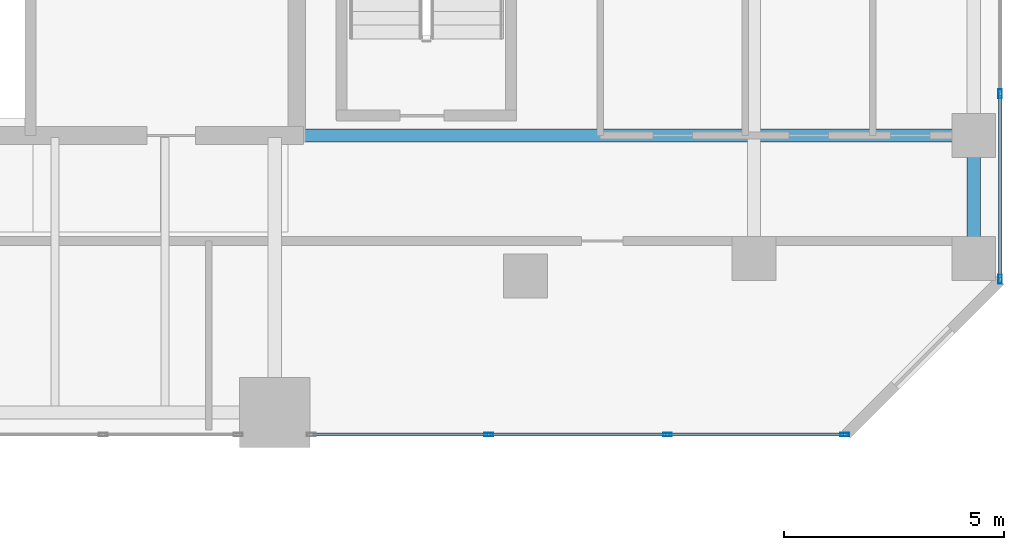
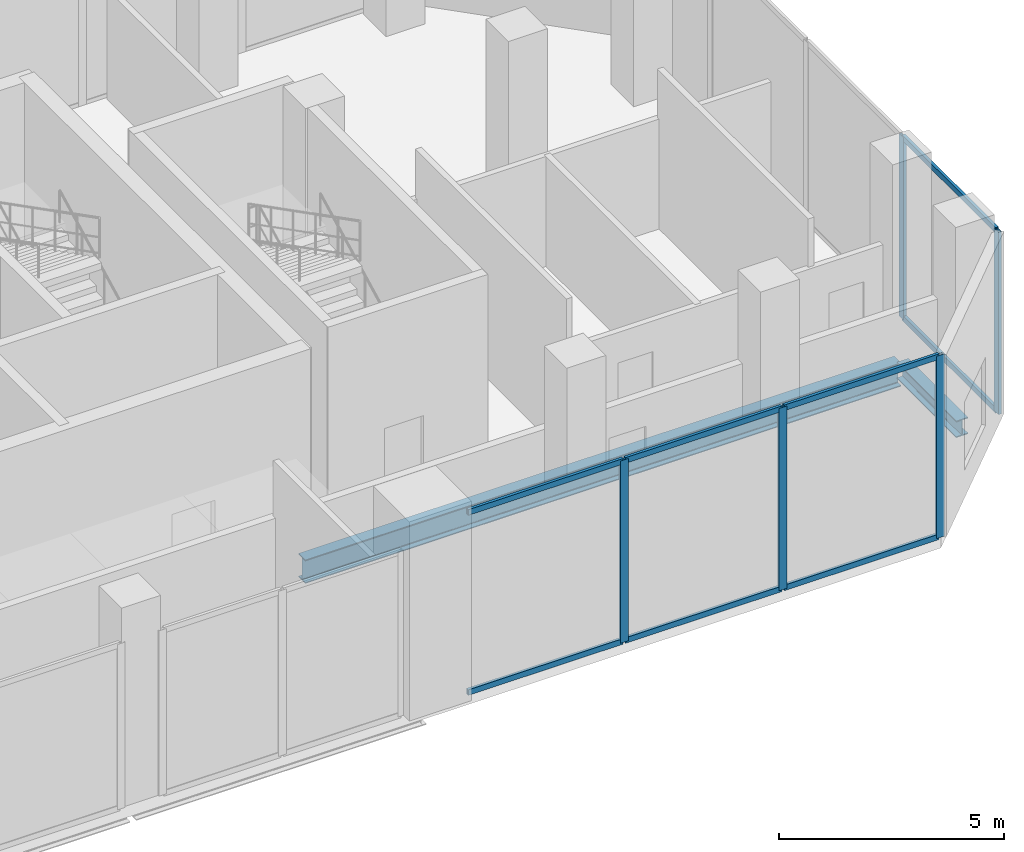
# One storey, part 11 of 24: 13 members, 2 beams, 2 elements without a shape of their own.
"""IFC4 building model written with IfcOpenShell, lengths in metres."""

import ifcopenshell
import ifcopenshell.guid

model = None  # the IFC model being written
_history = None  # IfcOwnerHistory: only IFC2X3 demands one
_inside = {}  # id of a spatial element -> (the spatial element, [elements in it])
_under = {}  # id of a project, library or spatial element -> (it, [spatial elements below it])
_declared = {}  # id of a project -> (the project, [libraries it declares])
_typed = {}  # id of a type object -> (the type object, [elements of that type])
_made_of = {}  # id of a material, layer set ... -> (it, [elements and type objects made of it])


def new_model(schema):
    """Start an empty IFC model of exactly this schema.

    Asked for "IFC4X3", IfcOpenShell would pick the latest addendum, in which some entities
    have other attributes; the version numbers below select the first issue.
    IFC2X3 requires an IfcOwnerHistory on every rooted entity: one is made here for all.
    """
    global model, _history
    if schema == "IFC4X3":
        model = ifcopenshell.file(schema_version=(4, 3, 0, 0))
    else:
        model = ifcopenshell.file(schema=schema)
    _inside.clear()
    _under.clear()
    _declared.clear()
    _typed.clear()
    _made_of.clear()
    _history = None
    if model.schema == "IFC2X3":
        org = make("IfcOrganization", Name="unknown")
        user = make(
            "IfcPersonAndOrganization",
            ThePerson=make("IfcPerson", FamilyName="unknown"),
            TheOrganization=org,
        )
        app = make(
            "IfcApplication",
            ApplicationDeveloper=org,
            Version="unknown",
            ApplicationFullName="unknown",
            ApplicationIdentifier="unknown",
        )
        _history = make(
            "IfcOwnerHistory",
            OwningUser=user,
            OwningApplication=app,
            ChangeAction="ADDED",
            CreationDate=0,
        )
    return model


def make(cls, **values):
    """One entity of the class cls with the attributes given. An attribute that is None is left unset."""
    return model.create_entity(
        cls, **{name: value for name, value in values.items() if value is not None}
    )


def rooted(cls, **values):
    """An entity with a GlobalId (a new one), such as an element, a storey or a relation."""
    return make(cls, GlobalId=ifcopenshell.guid.new(), OwnerHistory=_history, **values)


def si_unit(unit_type, name, prefix=None):
    """IfcSIUnit, for example si_unit("LENGTHUNIT", "METRE", prefix="MILLI")."""
    return make("IfcSIUnit", UnitType=unit_type, Prefix=prefix, Name=name)


def assignment(units):
    """IfcUnitAssignment: the units of a project."""
    return None if units is None else make("IfcUnitAssignment", Units=units)


def point(xyz):
    """IfcCartesianPoint."""
    return None if xyz is None else make("IfcCartesianPoint", Coordinates=xyz)


def direction(xyz):
    """IfcDirection."""
    return None if xyz is None else make("IfcDirection", DirectionRatios=xyz)


def frame(location, z_axis=None, x_axis=None):
    """IfcAxis2Placement3D, a coordinate frame: its origin and axes. An axis left out is left unset."""
    return make(
        "IfcAxis2Placement3D",
        Location=point(location),
        Axis=direction(z_axis),
        RefDirection=direction(x_axis),
    )


def frame_2d(location, x_axis=None):
    """IfcAxis2Placement2D, a coordinate frame in the plane: its origin and x axis."""
    return make(
        "IfcAxis2Placement2D", Location=point(location), RefDirection=direction(x_axis)
    )


def origin():
    """The frame at (0, 0, 0) with its axes left unset."""
    return frame((0.0, 0.0, 0.0))


def origin_2d():
    """The frame at (0, 0) in the plane with its x axis left unset."""
    return frame_2d((0.0, 0.0))


def place(relative_to, where):
    """IfcLocalPlacement: puts the frame where relative to a parent placement (None: the world)."""
    return make(
        "IfcLocalPlacement", PlacementRelTo=relative_to, RelativePlacement=where
    )


def context(
    kind, dimensions, precision=None, world=None, true_north=None, identifier=None
):
    """IfcGeometricRepresentationContext, for example the 3D "Model" context."""
    return make(
        "IfcGeometricRepresentationContext",
        ContextIdentifier=identifier,
        ContextType=kind,
        CoordinateSpaceDimension=dimensions,
        Precision=precision,
        WorldCoordinateSystem=world,
        TrueNorth=true_north,
    )


def subcontext(parent, identifier, kind, view, scale=None):
    """IfcGeometricRepresentationSubContext, for example "Body" below "Model"."""
    return make(
        "IfcGeometricRepresentationSubContext",
        ContextIdentifier=identifier,
        ContextType=kind,
        ParentContext=parent,
        TargetScale=scale,
        TargetView=view,
    )


def project(units=None, contexts=None):
    """IfcProject with its units and contexts."""
    return rooted(
        "IfcProject",
        Name="project",
        RepresentationContexts=contexts,
        UnitsInContext=assignment(units),
    )


def spatial(cls, under=None, at=None, **own):
    """A site, building, storey or space (cls), placed at a placement, below another one or the project."""
    s = rooted(cls, ObjectPlacement=at, **own)
    if under is not None:
        _under.setdefault(under.id(), (under, []))[1].append(s)
    return s


def profile(cls, at=None, kind="AREA", **sizes):
    """A parametric profile (cls). Its sizes go by their IFC names, for example OverallWidth=200.0."""
    return make(cls, ProfileType=kind, Position=at, **sizes)


def hollow_rectangle(**sizes):
    """IfcRectangleHollowProfileDef."""
    return profile("IfcRectangleHollowProfileDef", **sizes)


def i_section(**sizes):
    """IfcIShapeProfileDef."""
    return profile("IfcIShapeProfileDef", **sizes)


def extrude(swept, where, along, depth):
    """IfcExtrudedAreaSolid: the profile swept, set in the frame where, extruded along a direction by depth."""
    return make(
        "IfcExtrudedAreaSolid",
        SweptArea=swept,
        Position=where,
        ExtrudedDirection=direction(along),
        Depth=depth,
    )


def shape(context_of_items, identifier, shape_type, items):
    """IfcShapeRepresentation: the items that make up one representation, for example the "Body"."""
    return make(
        "IfcShapeRepresentation",
        ContextOfItems=context_of_items,
        RepresentationIdentifier=identifier,
        RepresentationType=shape_type,
        Items=items,
    )


def material(Name=None, Category=None):
    """IfcMaterial."""
    return make("IfcMaterial", Name=Name, Category=Category)


def layer(
    of_material, thickness, ventilated=None, Name=None, Category=None, Priority=None
):
    """IfcMaterialLayer: one layer of a wall or slab, of a material (None: an air gap)."""
    return make(
        "IfcMaterialLayer",
        Material=of_material,
        LayerThickness=thickness,
        IsVentilated=ventilated,
        Name=Name,
        Category=Category,
        Priority=Priority,
    )


def layer_set(layers, Name=None):
    """IfcMaterialLayerSet."""
    return make("IfcMaterialLayerSet", MaterialLayers=layers, LayerSetName=Name)


def material_profile(
    of_material, cross_section, Name=None, Category=None, Priority=None
):
    """IfcMaterialProfile: a cross section and its material."""
    return make(
        "IfcMaterialProfile",
        Name=Name,
        Material=of_material,
        Profile=cross_section,
        Priority=Priority,
        Category=Category,
    )


def profile_set(profiles, Name=None, composite=None):
    """IfcMaterialProfileSet."""
    return make(
        "IfcMaterialProfileSet",
        Name=Name,
        MaterialProfiles=profiles,
        CompositeProfile=composite,
    )


def made_of(thing, what):
    """Note that an element or type object is made of a material, layer set ...; save() writes the relation."""
    if what is not None:
        _made_of.setdefault(what.id(), (what, []))[1].append(thing)
    return thing


def type_object(cls, material=None, **own):
    """A type object (cls), such as IfcWallType, which elements share."""
    return made_of(rooted(cls, **own), material)


def element(
    cls,
    number,
    at=None,
    inside=None,
    cuts=None,
    type_object=None,
    material=None,
    context=None,
    identifier="Body",
    shape_type=None,
    held_by="IfcProductDefinitionShape",
    body=None,
    shapes=None,
    **own,
):
    """One element of the class cls, such as IfcWall. Its Tag is "e" and its number.

    at: its placement. inside: the storey or other place that contains it. cuts: it is an
    opening in that element (IfcRelVoidsElement). A single representation is given by context,
    identifier, shape_type and body (its items); several are given by shapes. held_by: the class
    of the entity that holds the representations. save() writes the other relations.
    """
    e = rooted(cls, Tag="e%d" % number, ObjectPlacement=at, **own)
    if body is not None:
        shapes = [shape(context, identifier, shape_type, body)]
    if shapes is not None:
        e.Representation = make(held_by, Representations=shapes)
    if inside is not None:
        _inside.setdefault(inside.id(), (inside, []))[1].append(e)
    if cuts is not None:
        rooted(
            "IfcRelVoidsElement", RelatingBuildingElement=cuts, RelatedOpeningElement=e
        )
    if type_object is not None:
        _typed.setdefault(type_object.id(), (type_object, []))[1].append(e)
    return made_of(e, material)


def aggregate(whole, parts):
    """IfcRelAggregates: a whole, such as a stair, and the parts it consists of."""
    return rooted("IfcRelAggregates", RelatingObject=whole, RelatedObjects=parts)


def save(model, path):
    """Write the relations noted so far, then the file.

    IfcRelAggregates (storeys below a building ...), IfcRelContainedInSpatialStructure (elements
    in a storey), IfcRelDefinesByType, IfcRelAssociatesMaterial and IfcRelDeclares: one each for
    every whole, place, type object, material and project.
    """
    for whole, parts in _under.values():
        aggregate(whole, parts)
    for where, things in _inside.values():
        rooted(
            "IfcRelContainedInSpatialStructure",
            RelatedElements=things,
            RelatingStructure=where,
        )
    for kind, things in _typed.values():
        rooted("IfcRelDefinesByType", RelatedObjects=things, RelatingType=kind)
    for what, things in _made_of.values():
        rooted("IfcRelAssociatesMaterial", RelatedObjects=things, RelatingMaterial=what)
    for by, libraries in _declared.values():
        rooted("IfcRelDeclares", RelatingContext=by, RelatedDefinitions=libraries)
    model.write(path)


model = new_model("IFC4")

# Units and contexts
model_context = context("Model", 3, precision=1e-05, world=origin(), true_north=direction((0.0, 1.0)))
body_context = subcontext(model_context, "Body", "Model", "MODEL_VIEW")
ifc_project = project(units=[si_unit("LENGTHUNIT", "METRE"), si_unit("AREAUNIT", "SQUARE_METRE"), si_unit("VOLUMEUNIT", "CUBIC_METRE"), si_unit("PLANEANGLEUNIT", "RADIAN"), si_unit("MASSUNIT", "GRAM", prefix="KILO")], contexts=[model_context])

# Site, building, storey
site_placement = place(None, origin())
site = spatial("IfcSite", under=ifc_project, at=site_placement, CompositionType="ELEMENT")
building_placement = place(site_placement, origin())
building = spatial("IfcBuilding", under=site, at=building_placement, Name="Catumbela Crestline Tower", CompositionType="ELEMENT")
storey_placement = place(building_placement, frame((0.0, 0.0, 15.9)))
storey = spatial("IfcBuildingStorey", under=building, at=storey_placement, Name="L03", CompositionType="ELEMENT", Elevation=15.9)

# Beam
ifc_material_1 = material(Name="Structural steel S355J2", Category="steel")
ifc_material_profile_1 = material_profile(ifc_material_1, i_section(OverallWidth=0.3, OverallDepth=0.64, WebThickness=0.0135, FlangeThickness=0.026, FilletRadius=0.027, at=origin_2d()), Name="HEA 650")
ifc_profile_set_1 = profile_set([ifc_material_profile_1], Name="Structural steel S355J2")
beam_type_1 = type_object("IfcBeamType", Name="BG-HEA650", PredefinedType="BEAM", material=ifc_profile_set_1)
beam_1_placement = place(storey_placement, frame((40.05, 30.8, -0.64), z_axis=(1.0, 0.0, 0.0), x_axis=(0.0, 1.0, 0.0)))
element("IfcBeam", 1, at=beam_1_placement, inside=storey, type_object=beam_type_1, Name="L03 Beam BM-L03-M10", PredefinedType="BEAM", context=body_context, shape_type="SweptSolid", body=[
    extrude(i_section(OverallWidth=0.3, OverallDepth=0.64, WebThickness=0.0135, FlangeThickness=0.026, FilletRadius=0.027, at=origin_2d()), origin(), (0.0, 0.0, 1.0), 15.27),
])

# Curtain wall, members
ifc_material_2 = material(Name="Aluminium alloy AW-6060-T66", Category="aluminium")
ifc_layer = layer(ifc_material_2, 0.18, Name="Aluminium alloy AW-6060-T66")
ifc_layer_set = layer_set([ifc_layer], Name="Aluminium alloy AW-6060-T66")
curtain_wall_type = type_object("IfcCurtainWallType", Name="CWS-POD", PredefinedType="USERDEFINED", material=ifc_layer_set)
curtain_wall_1_placement = place(storey_placement, origin())
curtain_wall_1 = element("IfcCurtainWall", 2, at=curtain_wall_1_placement, inside=storey, type_object=curtain_wall_type, Name="L03 Stick Curtain Wall CW-L03-E3S3", ObjectType="STICK", PredefinedType="USERDEFINED")
ifc_material_profile_2 = material_profile(ifc_material_2, hollow_rectangle(XDim=0.075, YDim=0.2, WallThickness=0.005, at=origin_2d()), Name="ALU 200x75x5")
ifc_profile_set_2 = profile_set([ifc_material_profile_2], Name="Aluminium alloy AW-6060-T66")
member_type_1 = type_object("IfcMemberType", Name="MUL-200X75", PredefinedType="MULLION", material=ifc_profile_set_2)
member_1_placement = place(storey_placement, frame((44.3667, 24.0, 0.0), z_axis=(0.0, 0.0, 1.0), x_axis=(0.0, 1.0, 0.0)))
member_1 = element("IfcMember", 3, at=member_1_placement, type_object=member_type_1, Name="CWS-POD mullion 2", PredefinedType="MULLION", context=body_context, shape_type="SweptSolid", body=[
    extrude(hollow_rectangle(XDim=0.075, YDim=0.2, WallThickness=0.005, at=origin_2d()), origin(), (0.0, 0.0, 1.0), 4.94),
])
member_2_placement = place(storey_placement, frame((48.4333, 24.0, 0.0), z_axis=(0.0, 0.0, 1.0), x_axis=(0.0, 1.0, 0.0)))
member_2 = element("IfcMember", 4, at=member_2_placement, type_object=member_type_1, Name="CWS-POD mullion 3", PredefinedType="MULLION", context=body_context, shape_type="SweptSolid", body=[
    extrude(hollow_rectangle(XDim=0.075, YDim=0.2, WallThickness=0.005, at=origin_2d()), origin(), (0.0, 0.0, 1.0), 4.94),
])
member_3_placement = place(storey_placement, frame((52.4675, 24.0, 0.0), z_axis=(0.0, 0.0, 1.0), x_axis=(0.0, 1.0, 0.0)))
member_3 = element("IfcMember", 5, at=member_3_placement, type_object=member_type_1, Name="CWS-POD mullion 4", PredefinedType="MULLION", context=body_context, shape_type="SweptSolid", body=[
    extrude(hollow_rectangle(XDim=0.075, YDim=0.2, WallThickness=0.005, at=origin_2d()), origin(), (0.0, 0.0, 1.0), 4.94),
])

curtain_wall_2_placement = place(storey_placement, origin())
curtain_wall_2 = element("IfcCurtainWall", 6, at=curtain_wall_2_placement, inside=storey, type_object=curtain_wall_type, Name="L03 Stick Curtain Wall CW-L03-E5S1", ObjectType="STICK", PredefinedType="USERDEFINED")
member_4_placement = place(storey_placement, frame((56.0, 27.5325, 0.0), z_axis=(0.0, 0.0, 1.0), x_axis=(-1.0, 0.0, 0.0)))
member_4 = element("IfcMember", 7, at=member_4_placement, type_object=member_type_1, Name="CWS-POD mullion 1", PredefinedType="MULLION", context=body_context, shape_type="SweptSolid", body=[
    extrude(hollow_rectangle(XDim=0.075, YDim=0.2, WallThickness=0.005, at=origin_2d()), origin(), (0.0, 0.0, 1.0), 4.94),
])
member_5_placement = place(storey_placement, frame((56.0, 31.75, 0.0), z_axis=(0.0, 0.0, 1.0), x_axis=(-1.0, 0.0, 0.0)))
member_5 = element("IfcMember", 8, at=member_5_placement, type_object=member_type_1, Name="CWS-POD mullion 2", PredefinedType="MULLION", context=body_context, shape_type="SweptSolid", body=[
    extrude(hollow_rectangle(XDim=0.075, YDim=0.2, WallThickness=0.005, at=origin_2d()), origin(), (0.0, 0.0, 1.0), 4.94),
])

# Beam
ifc_material_profile_3 = material_profile(ifc_material_1, i_section(OverallWidth=0.3, OverallDepth=0.45, WebThickness=0.014, FlangeThickness=0.026, FilletRadius=0.027, at=origin_2d()), Name="HEB 450")
ifc_profile_set_3 = profile_set([ifc_material_profile_3], Name="Structural steel S355J2")
beam_type_2 = type_object("IfcBeamType", Name="BS-HEB450", PredefinedType="SPANDREL", material=ifc_profile_set_3)
beam_2_placement = place(storey_placement, frame((55.4, 28.08, -0.545), z_axis=(0.0, 1.0, 0.0), x_axis=(-1.0, 0.0, 0.0)))
element("IfcBeam", 9, at=beam_2_placement, inside=storey, type_object=beam_type_2, Name="L03 Spandrel SP-L03-SN35", PredefinedType="SPANDREL", context=body_context, shape_type="SweptSolid", body=[
    extrude(i_section(OverallWidth=0.3, OverallDepth=0.45, WebThickness=0.014, FlangeThickness=0.026, FilletRadius=0.027, at=origin_2d()), origin(), (0.0, 0.0, 1.0), 2.64),
])

# Member
ifc_material_profile_4 = material_profile(ifc_material_2, hollow_rectangle(XDim=0.075, YDim=0.15, WallThickness=0.0045, at=origin_2d()), Name="ALU 150x75x4.5")
ifc_profile_set_4 = profile_set([ifc_material_profile_4], Name="Aluminium alloy AW-6060-T66")
member_type_2 = type_object("IfcMemberType", Name="TRN-150X75", PredefinedType="USERDEFINED", material=ifc_profile_set_4)
member_6_placement = place(storey_placement, frame((40.365, 24.0, 0.03), z_axis=(1.0, 0.0, 0.0), x_axis=(0.0, 1.0, 0.0)))
member_6 = element("IfcMember", 10, at=member_6_placement, type_object=member_type_2, Name="CWS-POD transom 1.1", ObjectType="TRANSOM", PredefinedType="USERDEFINED", context=body_context, shape_type="SweptSolid", body=[
    extrude(hollow_rectangle(XDim=0.075, YDim=0.15, WallThickness=0.0045, at=origin_2d()), origin(), (0.0, 0.0, 1.0), 3.9692),
])

member_7_placement = place(storey_placement, frame((40.365, 24.0, 4.91), z_axis=(1.0, 0.0, 0.0), x_axis=(0.0, 1.0, 0.0)))
member_7 = element("IfcMember", 11, at=member_7_placement, type_object=member_type_2, Name="CWS-POD transom 1.2", ObjectType="TRANSOM", PredefinedType="USERDEFINED", context=body_context, shape_type="SweptSolid", body=[
    extrude(hollow_rectangle(XDim=0.075, YDim=0.15, WallThickness=0.0045, at=origin_2d()), origin(), (0.0, 0.0, 1.0), 3.9692),
])

member_8_placement = place(storey_placement, frame((44.3992, 24.0, 0.03), z_axis=(1.0, 0.0, 0.0), x_axis=(0.0, 1.0, 0.0)))
member_8 = element("IfcMember", 12, at=member_8_placement, type_object=member_type_2, Name="CWS-POD transom 2.1", ObjectType="TRANSOM", PredefinedType="USERDEFINED", context=body_context, shape_type="SweptSolid", body=[
    extrude(hollow_rectangle(XDim=0.075, YDim=0.15, WallThickness=0.0045, at=origin_2d()), origin(), (0.0, 0.0, 1.0), 4.0016),
])

member_9_placement = place(storey_placement, frame((44.3992, 24.0, 4.91), z_axis=(1.0, 0.0, 0.0), x_axis=(0.0, 1.0, 0.0)))
member_9 = element("IfcMember", 13, at=member_9_placement, type_object=member_type_2, Name="CWS-POD transom 2.2", ObjectType="TRANSOM", PredefinedType="USERDEFINED", context=body_context, shape_type="SweptSolid", body=[
    extrude(hollow_rectangle(XDim=0.075, YDim=0.15, WallThickness=0.0045, at=origin_2d()), origin(), (0.0, 0.0, 1.0), 4.0016),
])

member_10_placement = place(storey_placement, frame((48.4658, 24.0, 0.03), z_axis=(1.0, 0.0, 0.0), x_axis=(0.0, 1.0, 0.0)))
member_10 = element("IfcMember", 14, at=member_10_placement, type_object=member_type_2, Name="CWS-POD transom 3.1", ObjectType="TRANSOM", PredefinedType="USERDEFINED", context=body_context, shape_type="SweptSolid", body=[
    extrude(hollow_rectangle(XDim=0.075, YDim=0.15, WallThickness=0.0045, at=origin_2d()), origin(), (0.0, 0.0, 1.0), 3.9692),
])

member_11_placement = place(storey_placement, frame((48.4658, 24.0, 4.91), z_axis=(1.0, 0.0, 0.0), x_axis=(0.0, 1.0, 0.0)))
member_11 = element("IfcMember", 15, at=member_11_placement, type_object=member_type_2, Name="CWS-POD transom 3.2", ObjectType="TRANSOM", PredefinedType="USERDEFINED", context=body_context, shape_type="SweptSolid", body=[
    extrude(hollow_rectangle(XDim=0.075, YDim=0.15, WallThickness=0.0045, at=origin_2d()), origin(), (0.0, 0.0, 1.0), 3.9692),
])

aggregate(curtain_wall_1, [member_1, member_2, member_3, member_6, member_7, member_8, member_9, member_10, member_11])

member_12_placement = place(storey_placement, frame((56.0, 27.565, 0.03), z_axis=(0.0, 1.0, 0.0), x_axis=(-1.0, 0.0, 0.0)))
member_12 = element("IfcMember", 16, at=member_12_placement, type_object=member_type_2, Name="CWS-POD transom 1.1", ObjectType="TRANSOM", PredefinedType="USERDEFINED", context=body_context, shape_type="SweptSolid", body=[
    extrude(hollow_rectangle(XDim=0.075, YDim=0.15, WallThickness=0.0045, at=origin_2d()), origin(), (0.0, 0.0, 1.0), 4.1525),
])

member_13_placement = place(storey_placement, frame((56.0, 27.565, 4.91), z_axis=(0.0, 1.0, 0.0), x_axis=(-1.0, 0.0, 0.0)))
member_13 = element("IfcMember", 17, at=member_13_placement, type_object=member_type_2, Name="CWS-POD transom 1.2", ObjectType="TRANSOM", PredefinedType="USERDEFINED", context=body_context, shape_type="SweptSolid", body=[
    extrude(hollow_rectangle(XDim=0.075, YDim=0.15, WallThickness=0.0045, at=origin_2d()), origin(), (0.0, 0.0, 1.0), 4.1525),
])

aggregate(curtain_wall_2, [member_4, member_5, member_12, member_13])

save(model, "model.ifc")
